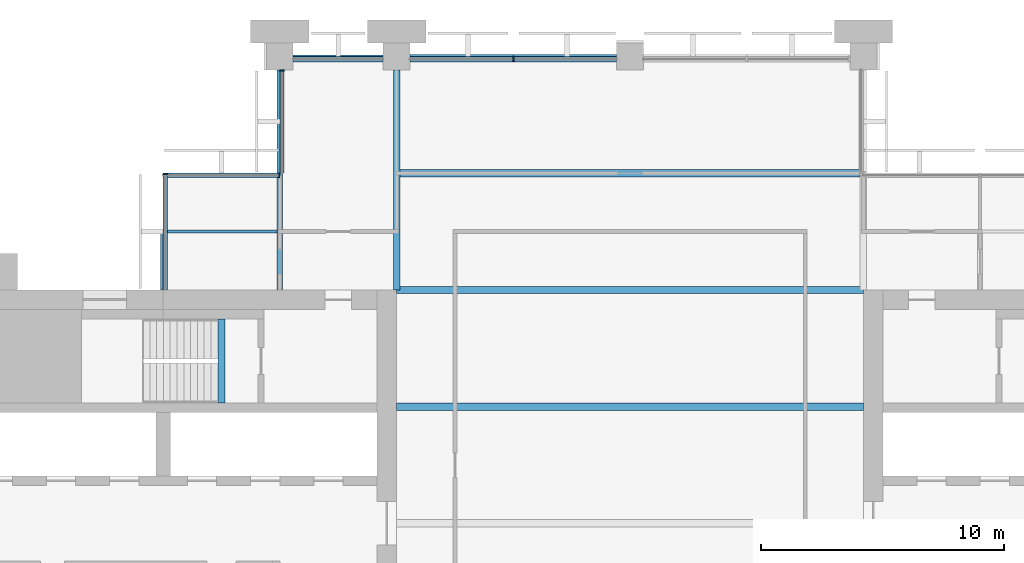
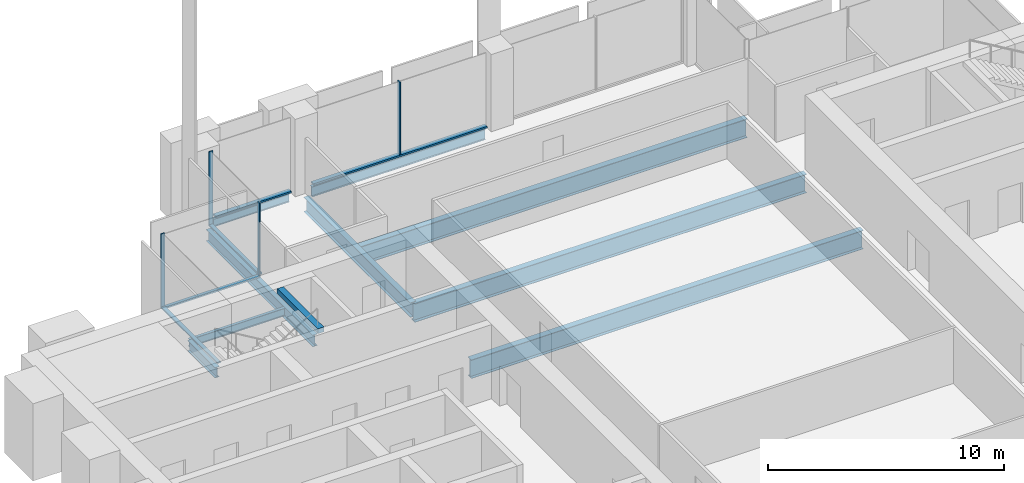
# One storey, part 5 of 13: 10 beams, 9 members, 4 elements without a shape of their own.
"""IFC4 building model written with IfcOpenShell, lengths in metres."""

from ifc_helpers import new_model, si_unit, direction, frame, origin, origin_2d, place, context, subcontext, project, spatial, rectangle, i_section, extrude, material, material_profile, profile_set, type_object, element, aggregate, save


model = new_model("IFC4")

# Units and contexts
model_context = context("Model", 3, precision=1e-05, world=origin(), true_north=direction((0.0, 1.0)))
body_context = subcontext(model_context, "Body", "Model", "MODEL_VIEW")
ifc_project = project(units=[si_unit("LENGTHUNIT", "METRE"), si_unit("AREAUNIT", "SQUARE_METRE"), si_unit("VOLUMEUNIT", "CUBIC_METRE"), si_unit("PLANEANGLEUNIT", "RADIAN"), si_unit("MASSUNIT", "GRAM", prefix="KILO")], contexts=[model_context])

# Site, building, storey
site_placement = place(None, origin())
site = spatial("IfcSite", under=ifc_project, at=site_placement, CompositionType="ELEMENT")
building_placement = place(site_placement, origin())
building = spatial("IfcBuilding", under=site, at=building_placement, Name="Baori Bourse Tower", CompositionType="ELEMENT")
storey_placement = place(building_placement, frame((0.0, 0.0, 213.199951171875)))
storey = spatial("IfcBuildingStorey", under=building, at=storey_placement, Name="L46", CompositionType="ELEMENT", Elevation=213.199951171875)

# Curtain wall, member
ifc_material_1 = material(Name="Pale anodised aluminium", Category="aluminium")
curtain_wall_type_1 = type_object("IfcCurtainWallType", Name="CW2 Curtain wall", PredefinedType="NOTDEFINED", material=ifc_material_1)
curtain_wall_1_placement = place(storey_placement, origin())
curtain_wall_1 = element("IfcCurtainWall", 1, at=curtain_wall_1_placement, inside=storey, type_object=curtain_wall_type_1, Name="Curtain wall CW2 L46 5", PredefinedType="NOTDEFINED")
ifc_material_2 = material(Name="Pale anodised aluminium", Category="aluminium")
ifc_material_profile_1 = material_profile(ifc_material_2, rectangle(XDim=0.179931640625, YDim=0.054931640625, at=origin_2d()), Name="Mullion 55x180")
ifc_profile_set_1 = profile_set([ifc_material_profile_1], Name="Pale anodised aluminium")
member_type_1 = type_object("IfcMemberType", Name="CW2 Curtain wall mullion", PredefinedType="MULLION", material=ifc_profile_set_1)
member_1_placement = place(storey_placement, frame((14.489990234375, 47.422607421875, 0.070068359375), z_axis=(0.0, 0.0, 1.0), x_axis=(1.0, 0.0, 0.0)))
member_1 = element("IfcMember", 2, at=member_1_placement, type_object=member_type_1, Name="Curtain wall CW2 mullion", PredefinedType="MULLION", context=body_context, shape_type="SweptSolid", body=[
    extrude(rectangle(XDim=0.179931640625, YDim=0.054931640625, at=origin_2d()), origin(), (0.0, 0.0, 1.0), 3.77001953125),
])

curtain_wall_2_placement = place(storey_placement, origin())
curtain_wall_2 = element("IfcCurtainWall", 3, at=curtain_wall_2_placement, inside=storey, type_object=curtain_wall_type_1, Name="Curtain wall CW2 L46 6", PredefinedType="NOTDEFINED")
member_2_placement = place(storey_placement, frame((14.37255859375, 43.110107421875, 0.070068359375), z_axis=(0.0, 0.0, 1.0), x_axis=(0.0, -1.0, 0.0)))
member_2 = element("IfcMember", 4, at=member_2_placement, type_object=member_type_1, Name="Curtain wall CW2 mullion", PredefinedType="MULLION", context=body_context, shape_type="SweptSolid", body=[
    extrude(rectangle(XDim=0.179931640625, YDim=0.054931640625, at=origin_2d()), origin(), (0.0, 0.0, 1.0), 3.77001953125),
])

curtain_wall_3_placement = place(storey_placement, origin())
curtain_wall_3 = element("IfcCurtainWall", 5, at=curtain_wall_3_placement, inside=storey, type_object=curtain_wall_type_1, Name="Curtain wall CW2 L46 7", PredefinedType="NOTDEFINED")
member_3_placement = place(storey_placement, frame((9.68994140625, 43.172607421875, 0.070068359375), z_axis=(0.0, 0.0, 1.0), x_axis=(1.0, 0.0, 0.0)))
member_3 = element("IfcMember", 6, at=member_3_placement, type_object=member_type_1, Name="Curtain wall CW2 mullion", PredefinedType="MULLION", context=body_context, shape_type="SweptSolid", body=[
    extrude(rectangle(XDim=0.179931640625, YDim=0.054931640625, at=origin_2d()), origin(), (0.0, 0.0, 1.0), 3.77001953125),
])

# Member
ifc_material_3 = material(Name="Pale anodised aluminium", Category="aluminium")
ifc_material_profile_2 = material_profile(ifc_material_3, rectangle(XDim=0.179931640625, YDim=0.070068359375, at=origin_2d()), Name="Transom 70x180")
ifc_profile_set_2 = profile_set([ifc_material_profile_2], Name="Pale anodised aluminium")
member_type_2 = type_object("IfcMemberType", Name="CW2 Curtain wall transom", PredefinedType="USERDEFINED", material=ifc_profile_set_2)
member_4_placement = place(storey_placement, frame((14.489990234375, 47.449951171875, 0.03515625), z_axis=(0.0, -1.0, 0.0), x_axis=(1.0, 0.0, 0.0)))
member_4 = element("IfcMember", 7, at=member_4_placement, type_object=member_type_2, Name="Curtain wall CW2 sill rail", ObjectType="TRANSOM", PredefinedType="USERDEFINED", context=body_context, shape_type="SweptSolid", body=[
    extrude(rectangle(XDim=0.179931640625, YDim=0.070068359375, at=origin_2d()), origin(), (0.0, 0.0, 1.0), 4.25),
])

aggregate(curtain_wall_1, [member_4, member_1])

member_5_placement = place(storey_placement, frame((14.39990234375, 43.110107421875, 0.03515625), z_axis=(-1.0, 0.0, 0.0), x_axis=(0.0, -1.0, 0.0)))
member_5 = element("IfcMember", 8, at=member_5_placement, type_object=member_type_2, Name="Curtain wall CW2 sill rail", ObjectType="TRANSOM", PredefinedType="USERDEFINED", context=body_context, shape_type="SweptSolid", body=[
    extrude(rectangle(XDim=0.179931640625, YDim=0.070068359375, at=origin_2d()), origin(), (0.0, 0.0, 1.0), 4.7998046875),
])

aggregate(curtain_wall_2, [member_5, member_2])

member_6_placement = place(storey_placement, frame((9.68994140625, 43.199951171875, 0.03515625), z_axis=(0.0, -1.0, 0.0), x_axis=(1.0, 0.0, 0.0)))
member_6 = element("IfcMember", 9, at=member_6_placement, type_object=member_type_2, Name="Curtain wall CW2 sill rail", ObjectType="TRANSOM", PredefinedType="USERDEFINED", context=body_context, shape_type="SweptSolid", body=[
    extrude(rectangle(XDim=0.179931640625, YDim=0.070068359375, at=origin_2d()), origin(), (0.0, 0.0, 1.0), 4.800048828125),
])

aggregate(curtain_wall_3, [member_6, member_3])

# Curtain wall, members
ifc_material_4 = material(Name="Pale anodised aluminium", Category="aluminium")
curtain_wall_type_2 = type_object("IfcCurtainWallType", Name="CW5 Curtain wall", PredefinedType="NOTDEFINED", material=ifc_material_4)
curtain_wall_4_placement = place(storey_placement, origin())
curtain_wall_4 = element("IfcCurtainWall", 10, at=curtain_wall_4_placement, inside=storey, type_object=curtain_wall_type_2, Name="Curtain wall CW5 L46 4", PredefinedType="NOTDEFINED")
ifc_material_5 = material(Name="Pale anodised aluminium", Category="aluminium")
ifc_material_profile_3 = material_profile(ifc_material_5, rectangle(XDim=0.219970703125, YDim=0.06494140625, at=origin_2d()), Name="Mullion 65x220")
ifc_profile_set_3 = profile_set([ifc_material_profile_3], Name="Pale anodised aluminium")
member_type_3 = type_object("IfcMemberType", Name="CW5 Curtain wall mullion", PredefinedType="MULLION", material=ifc_profile_set_3)
member_7_placement = place(storey_placement, frame((24.0, 47.889892578125, 0.0849609375), z_axis=(0.0, 0.0, 1.0), x_axis=(0.0, -1.0, 0.0)))
member_7 = element("IfcMember", 11, at=member_7_placement, type_object=member_type_3, Name="Curtain wall CW5 mullion", PredefinedType="MULLION", context=body_context, shape_type="SweptSolid", body=[
    extrude(rectangle(XDim=0.219970703125, YDim=0.06494140625, at=origin_2d()), origin(), (0.0, 0.0, 1.0), 3.755126953125),
])
ifc_material_6 = material(Name="Pale anodised aluminium", Category="aluminium")
ifc_material_profile_4 = material_profile(ifc_material_6, rectangle(XDim=0.219970703125, YDim=0.0849609375, at=origin_2d()), Name="Transom 85x220")
ifc_profile_set_4 = profile_set([ifc_material_profile_4], Name="Pale anodised aluminium")
member_type_4 = type_object("IfcMemberType", Name="CW5 Curtain wall transom", PredefinedType="USERDEFINED", material=ifc_profile_set_4)
member_8_placement = place(storey_placement, frame((28.25, 47.889892578125, 0.04248046875), z_axis=(-1.0, 0.0, 0.0), x_axis=(0.0, -1.0, 0.0)))
member_8 = element("IfcMember", 12, at=member_8_placement, type_object=member_type_4, Name="Curtain wall CW5 sill rail", ObjectType="TRANSOM", PredefinedType="USERDEFINED", context=body_context, shape_type="SweptSolid", body=[
    extrude(rectangle(XDim=0.219970703125, YDim=0.0849609375, at=origin_2d()), origin(), (0.0, 0.0, 1.0), 8.5),
])
member_9_placement = place(storey_placement, frame((18.64990234375, 47.889892578125, 0.04248046875), z_axis=(-1.0, 0.0, 0.0), x_axis=(0.0, -1.0, 0.0)))
member_9 = element("IfcMember", 13, at=member_9_placement, type_object=member_type_4, Name="Curtain wall CW5 sill rail", ObjectType="TRANSOM", PredefinedType="USERDEFINED", context=body_context, shape_type="SweptSolid", body=[
    extrude(rectangle(XDim=0.219970703125, YDim=0.0849609375, at=origin_2d()), origin(), (0.0, 0.0, 1.0), 3.699951171875),
])
aggregate(curtain_wall_4, [member_8, member_7, member_9])

# Beams
ifc_material_7 = material(Name="Steel A992 Gr 50", Category="steel")
ifc_material_profile_5 = material_profile(ifc_material_7, i_section(OverallWidth=0.21240234375, OverallDepth=0.54345703125, WebThickness=0.01318359375, FlangeThickness=0.021240234375, at=origin_2d()), Name="W21x83")
ifc_profile_set_5 = profile_set([ifc_material_profile_5], Name="Steel A992 Gr 50")
beam_type_1 = type_object("IfcBeamType", Name="Core bracket W21x83", PredefinedType="BEAM", material=ifc_profile_set_5)
beam_1_placement = place(storey_placement, frame((9.60009765625, 38.39990234375, -0.431640625), z_axis=(0.0, 1.0, 0.0), x_axis=(-1.0, 0.0, 0.0)))
element("IfcBeam", 14, at=beam_1_placement, inside=storey, type_object=beam_type_1, Name="Core bracket L46", PredefinedType="BEAM", context=body_context, shape_type="SweptSolid", body=[
    extrude(i_section(OverallWidth=0.21240234375, OverallDepth=0.54345703125, WebThickness=0.01318359375, FlangeThickness=0.021240234375, at=origin_2d()), origin(), (0.0, 0.0, 1.0), 2.329833984375),
])
ifc_material_8 = material(Name="Steel A992 Gr 50", Category="steel")
ifc_material_profile_6 = material_profile(ifc_material_8, i_section(OverallWidth=0.140380859375, OverallDepth=0.40380859375, WebThickness=0.007080078125, FlangeThickness=0.01123046875, at=origin_2d()), Name="W16x31")
ifc_profile_set_6 = profile_set([ifc_material_profile_6], Name="Steel A992 Gr 50")
beam_type_2 = type_object("IfcBeamType", Name="Edge beam W16x31", PredefinedType="BEAM", material=ifc_profile_set_6)
beam_2_placement = place(storey_placement, frame((14.949951171875, 48.0, -0.36181640625), z_axis=(1.0, 0.0, 0.0), x_axis=(0.0, 1.0, 0.0)))
element("IfcBeam", 15, at=beam_2_placement, inside=storey, type_object=beam_type_2, Name="Edge beam L46", PredefinedType="BEAM", context=body_context, shape_type="SweptSolid", body=[
    extrude(i_section(OverallWidth=0.140380859375, OverallDepth=0.40380859375, WebThickness=0.007080078125, FlangeThickness=0.01123046875, at=origin_2d()), origin(), (0.0, 0.0, 1.0), 3.699951171875),
])
ifc_material_9 = material(Name="Steel A992 Gr 50", Category="steel")
ifc_material_profile_7 = material_profile(ifc_material_9, i_section(OverallWidth=0.1650390625, OverallDepth=0.52587890625, WebThickness=0.0087890625, FlangeThickness=0.011474609375, at=origin_2d()), Name="W21x44")
ifc_profile_set_7 = profile_set([ifc_material_profile_7], Name="Steel A992 Gr 50")
beam_type_3 = type_object("IfcBeamType", Name="Edge beam W21x44", PredefinedType="BEAM", material=ifc_profile_set_7)
beam_3_placement = place(storey_placement, frame((19.75, 48.0, -0.4228515625), z_axis=(1.0, 0.0, 0.0), x_axis=(0.0, 1.0, 0.0)))
element("IfcBeam", 16, at=beam_3_placement, inside=storey, type_object=beam_type_3, Name="Edge beam L46", PredefinedType="BEAM", context=body_context, shape_type="SweptSolid", body=[
    extrude(i_section(OverallWidth=0.1650390625, OverallDepth=0.52587890625, WebThickness=0.0087890625, FlangeThickness=0.011474609375, at=origin_2d()), origin(), (0.0, 0.0, 1.0), 8.5),
])
ifc_material_10 = material(Name="Steel A992 Gr 50", Category="steel")
ifc_material_profile_8 = material_profile(ifc_material_10, i_section(OverallWidth=0.227783203125, OverallDepth=0.60205078125, WebThickness=0.010498046875, FlangeThickness=0.014892578125, at=origin_2d()), Name="W24x68")
ifc_profile_set_8 = profile_set([ifc_material_profile_8], Name="Steel A992 Gr 50")
beam_type_4 = type_object("IfcBeamType", Name="Floor beam W24x68", PredefinedType="BEAM", material=ifc_profile_set_8)
beam_4_placement = place(storey_placement, frame((14.39990234375, 38.39990234375, -0.4609375), z_axis=(0.0, 1.0, 0.0), x_axis=(-1.0, 0.0, 0.0)))
element("IfcBeam", 17, at=beam_4_placement, inside=storey, type_object=beam_type_4, Name="Floor beam L46", PredefinedType="BEAM", context=body_context, shape_type="SweptSolid", body=[
    extrude(i_section(OverallWidth=0.227783203125, OverallDepth=0.60205078125, WebThickness=0.010498046875, FlangeThickness=0.014892578125, at=origin_2d()), origin(), (0.0, 0.0, 1.0), 9.050048828125),
])
ifc_material_11 = material(Name="Steel A992 Gr 50", Category="steel")
ifc_material_profile_9 = material_profile(ifc_material_11, i_section(OverallWidth=0.2998046875, OverallDepth=0.97021484375, WebThickness=0.01611328125, FlangeThickness=0.02099609375, at=origin_2d()), Name="W40x149")
ifc_profile_set_9 = profile_set([ifc_material_profile_9], Name="Steel A992 Gr 50")
beam_type_5 = type_object("IfcBeamType", Name="Floor beam W40x149", PredefinedType="BEAM", material=ifc_profile_set_9)
for number, where, z_axis, x_axis, name in (
    (18, (19.199951171875, 33.60009765625, -0.64501953125), (1.0, 0.0, 0.0), (0.0, 1.0, 0.0), "Floor beam L46"),
    (19, (19.199951171875, 38.39990234375, -0.64501953125), (1.0, 0.0, 0.0), (0.0, 1.0, 0.0), "Floor beam L46"),
):
    element("IfcBeam", number, at=place(storey_placement, frame(where, z_axis=z_axis, x_axis=x_axis)), inside=storey, type_object=beam_type_5, Name=name, PredefinedType="BEAM", context=body_context, shape_type="SweptSolid", body=[
        extrude(i_section(OverallWidth=0.2998046875, OverallDepth=0.97021484375, WebThickness=0.01611328125, FlangeThickness=0.02099609375, at=origin_2d()), origin(), (0.0, 0.0, 1.0), 19.199951171875),
    ])
beam_5_placement = place(storey_placement, frame((19.333251953125, 43.199951171875, -0.64501953125), z_axis=(1.0, 0.0, 0.0), x_axis=(0.0, 1.0, 0.0)))
element("IfcBeam", 20, at=beam_5_placement, inside=storey, type_object=beam_type_5, Name="Floor beam L46", PredefinedType="BEAM", context=body_context, shape_type="SweptSolid", body=[
    extrude(i_section(OverallWidth=0.2998046875, OverallDepth=0.97021484375, WebThickness=0.01611328125, FlangeThickness=0.02099609375, at=origin_2d()), origin(), (0.0, 0.0, 1.0), 18.933349609375),
])
ifc_material_12 = material(Name="Steel A992 Gr 50", Category="steel")
ifc_material_profile_10 = material_profile(ifc_material_12, i_section(OverallWidth=0.2666015625, OverallDepth=0.7568359375, WebThickness=0.013916015625, FlangeThickness=0.019287109375, at=origin_2d()), Name="W30x108")
ifc_profile_set_10 = profile_set([ifc_material_profile_10], Name="Steel A992 Gr 50")
beam_type_6 = type_object("IfcBeamType", Name="Girder W30x108", PredefinedType="BEAM", material=ifc_profile_set_10)
beam_6_placement = place(storey_placement, frame((19.199951171875, 38.39990234375, -0.538330078125), z_axis=(0.0, 1.0, 0.0), x_axis=(-1.0, 0.0, 0.0)))
element("IfcBeam", 21, at=beam_6_placement, inside=storey, type_object=beam_type_6, Name="Girder L46", PredefinedType="BEAM", context=body_context, shape_type="SweptSolid", body=[
    extrude(i_section(OverallWidth=0.2666015625, OverallDepth=0.7568359375, WebThickness=0.013916015625, FlangeThickness=0.019287109375, at=origin_2d()), origin(), (0.0, 0.0, 1.0), 9.050048828125),
])
ifc_material_13 = material(Name="Concrete f'c 50 MPa", Category="concrete")
ifc_material_profile_11 = material_profile(ifc_material_13, rectangle(XDim=0.300048828125, YDim=0.25, at=origin_2d()), Name="RC 300x250")
ifc_profile_set_11 = profile_set([ifc_material_profile_11], Name="Concrete f'c 50 MPa")
beam_type_7 = type_object("IfcBeamType", Name="Stair nib beam RC 300x250", PredefinedType="BEAM", material=ifc_profile_set_11)
beam_7_placement = place(storey_placement, frame((12.0, 33.75, 3.715087890625), z_axis=(0.0, 1.0, 0.0), x_axis=(-1.0, 0.0, 0.0)))
element("IfcBeam", 22, at=beam_7_placement, inside=storey, type_object=beam_type_7, Name="Stair WB nib beam L47", PredefinedType="BEAM", context=body_context, shape_type="SweptSolid", body=[
    extrude(rectangle(XDim=0.300048828125, YDim=0.25, at=origin_2d()), origin(), (0.0, 0.0, 1.0), 3.449951171875),
])
ifc_material_14 = material(Name="Steel A992 Gr 50", Category="steel")
ifc_material_profile_12 = material_profile(ifc_material_14, i_section(OverallWidth=0.140380859375, OverallDepth=0.40380859375, WebThickness=0.007080078125, FlangeThickness=0.01123046875, at=origin_2d()), Name="W16x31")
ifc_profile_set_12 = profile_set([ifc_material_profile_12], Name="Steel A992 Gr 50")
beam_type_8 = type_object("IfcBeamType", Name="Trimmer beam W16x31", PredefinedType="BEAM", material=ifc_profile_set_12)
beam_8_placement = place(storey_placement, frame((9.60009765625, 40.800048828125, -0.36181640625), z_axis=(1.0, 0.0, 0.0), x_axis=(0.0, 1.0, 0.0)))
element("IfcBeam", 23, at=beam_8_placement, inside=storey, type_object=beam_type_8, Name="Trimmer beam L46", PredefinedType="BEAM", context=body_context, shape_type="SweptSolid", body=[
    extrude(i_section(OverallWidth=0.140380859375, OverallDepth=0.40380859375, WebThickness=0.007080078125, FlangeThickness=0.01123046875, at=origin_2d()), origin(), (0.0, 0.0, 1.0), 4.68603515625),
])

save(model, "model.ifc")
